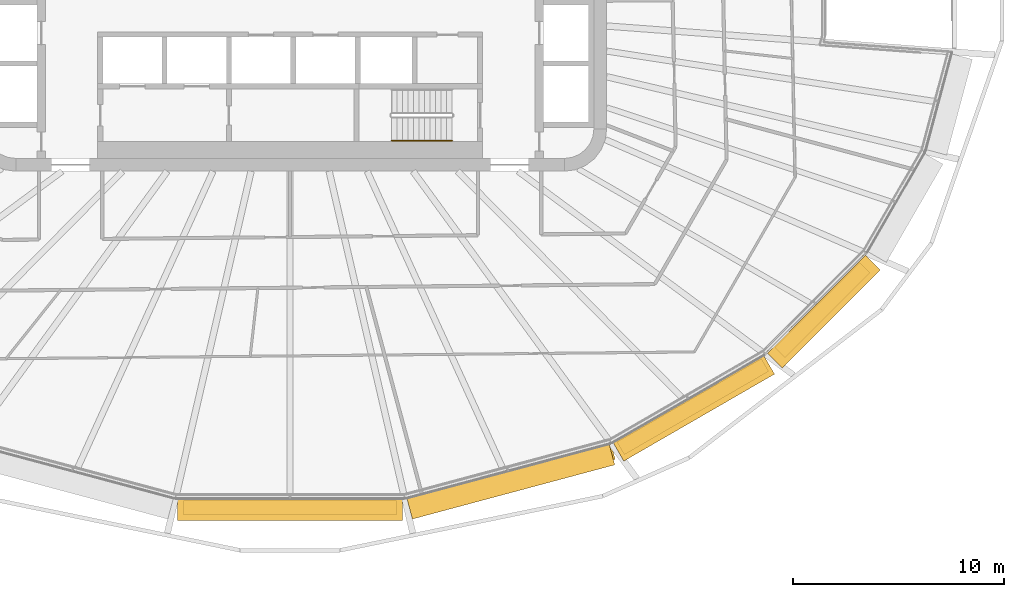
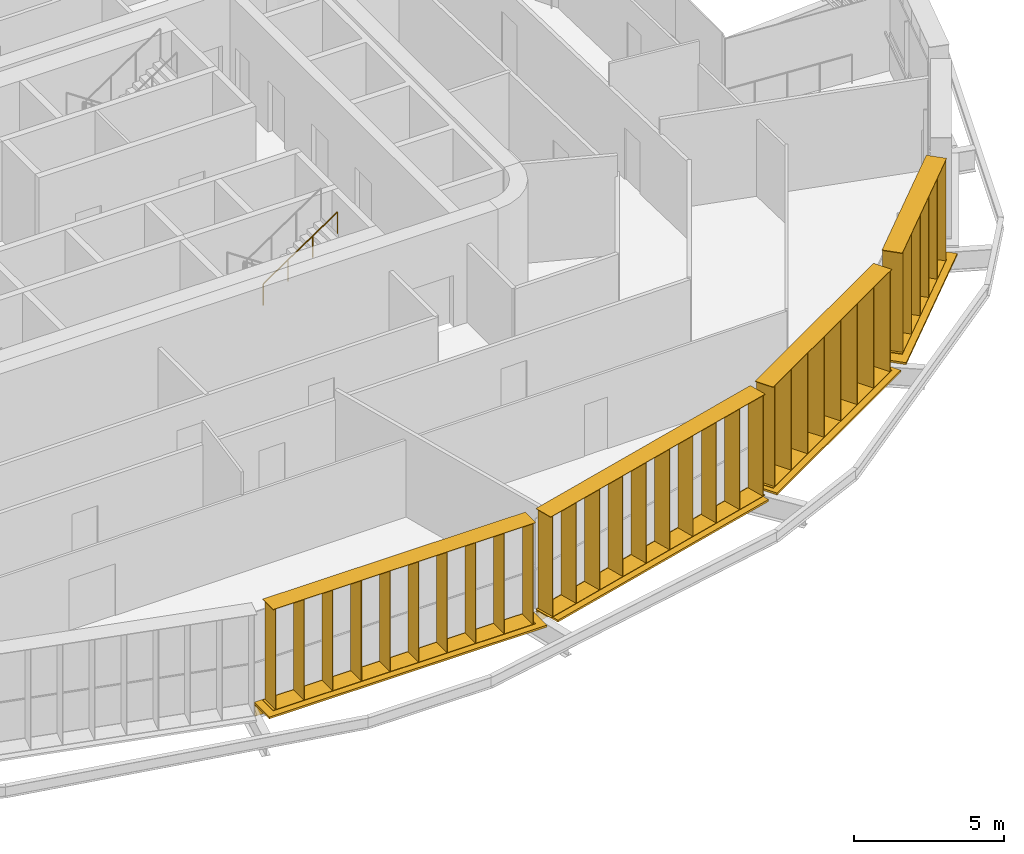
# One storey, part 24 of 28: 8 shading devices, 1 railing.
"""IFC4 building model written with IfcOpenShell, lengths in metres."""

from ifc_helpers import new_model, si_unit, direction, frame, origin, origin_2d, place, context, subcontext, project, spatial, rectangle, circle, extrude, material, type_object, element, save


model = new_model("IFC4")

# Units and contexts
model_context = context("Model", 3, precision=1e-05, world=origin(), true_north=direction((0.0, 1.0)))
body_context = subcontext(model_context, "Body", "Model", "MODEL_VIEW")
ifc_project = project(units=[si_unit("LENGTHUNIT", "METRE"), si_unit("AREAUNIT", "SQUARE_METRE"), si_unit("VOLUMEUNIT", "CUBIC_METRE"), si_unit("PLANEANGLEUNIT", "RADIAN"), si_unit("MASSUNIT", "GRAM", prefix="KILO")], contexts=[model_context])

# Site, building, storey
site_placement = place(None, origin())
site = spatial("IfcSite", under=ifc_project, at=site_placement, CompositionType="ELEMENT")
building_placement = place(site_placement, origin())
building = spatial("IfcBuilding", under=site, at=building_placement, Name="Sahrelin Media Tower", CompositionType="ELEMENT")
storey_placement = place(building_placement, frame((0.0, 0.0, 75.60009765625)))
storey = spatial("IfcBuildingStorey", under=building, at=storey_placement, Name="L13", CompositionType="ELEMENT", Elevation=75.60009765625)

# Shading devices
ifc_material_1 = material(Name="Champagne anodised aluminium 6063-T6", Category="aluminium")
shading_device_type_1 = type_object("IfcShadingDeviceType", Name="Fin cassette", PredefinedType="USERDEFINED", material=ifc_material_1)
placement_1 = place(storey_placement, frame((0.0, -23.5244140625, 0.0), z_axis=(0.0, 0.0, 1.0), x_axis=(-1.0, 0.0, 0.0)))
element("IfcShadingDevice", 1, at=placement_1, inside=storey, type_object=shading_device_type_1, Name="L13:FIN:L13-18", ObjectType="FIN", PredefinedType="USERDEFINED", context=body_context, shape_type="SweptSolid", body=[
    extrude(rectangle(XDim=10.10009765625, YDim=0.699951171875, at=origin_2d()), frame((0.0, 0.419921875, 0.0)), (0.0, 0.0, 1.0), 0.02001953125),
    extrude(rectangle(XDim=10.10009765625, YDim=0.699951171875, at=origin_2d()), frame((0.0, 0.419921875, 4.10009765625)), (0.0, 0.0, 1.0), 0.02001953125),
    extrude(rectangle(XDim=0.02001953125, YDim=0.699951171875, at=origin_2d()), frame((-4.949951171875, 0.419921875, 0.010009765625), z_axis=(0.0, 0.0, 1.0), x_axis=(1.0, 0.0, 0.0)), (0.0, 0.0, 1.0), 4.10009765625),
    extrude(rectangle(XDim=0.02001953125, YDim=0.699951171875, at=origin_2d()), frame((-3.85009765625, 0.419921875, 0.010009765625), z_axis=(0.0, 0.0, 1.0), x_axis=(1.0, 0.0, 0.0)), (0.0, 0.0, 1.0), 4.10009765625),
    extrude(rectangle(XDim=0.02001953125, YDim=0.699951171875, at=origin_2d()), frame((-2.75, 0.419921875, 0.010009765625), z_axis=(0.0, 0.0, 1.0), x_axis=(1.0, 0.0, 0.0)), (0.0, 0.0, 1.0), 4.10009765625),
    extrude(rectangle(XDim=0.02001953125, YDim=0.699951171875, at=origin_2d()), frame((-1.64990234375, 0.419921875, 0.010009765625), z_axis=(0.0, 0.0, 1.0), x_axis=(1.0, 0.0, 0.0)), (0.0, 0.0, 1.0), 4.10009765625),
    extrude(rectangle(XDim=0.02001953125, YDim=0.699951171875, at=origin_2d()), frame((-0.550048828125, 0.419921875, 0.010009765625), z_axis=(0.0, 0.0, 1.0), x_axis=(1.0, 0.0, 0.0)), (0.0, 0.0, 1.0), 4.10009765625),
    extrude(rectangle(XDim=0.02001953125, YDim=0.699951171875, at=origin_2d()), frame((0.550048828125, 0.419921875, 0.010009765625), z_axis=(0.0, 0.0, 1.0), x_axis=(1.0, 0.0, 0.0)), (0.0, 0.0, 1.0), 4.10009765625),
    extrude(rectangle(XDim=0.02001953125, YDim=0.699951171875, at=origin_2d()), frame((1.64990234375, 0.419921875, 0.010009765625), z_axis=(0.0, 0.0, 1.0), x_axis=(1.0, 0.0, 0.0)), (0.0, 0.0, 1.0), 4.10009765625),
    extrude(rectangle(XDim=0.02001953125, YDim=0.699951171875, at=origin_2d()), frame((2.75, 0.419921875, 0.010009765625), z_axis=(0.0, 0.0, 1.0), x_axis=(1.0, 0.0, 0.0)), (0.0, 0.0, 1.0), 4.10009765625),
    extrude(rectangle(XDim=0.02001953125, YDim=0.699951171875, at=origin_2d()), frame((3.85009765625, 0.419921875, 0.010009765625), z_axis=(0.0, 0.0, 1.0), x_axis=(1.0, 0.0, 0.0)), (0.0, 0.0, 1.0), 4.10009765625),
    extrude(rectangle(XDim=0.02001953125, YDim=0.699951171875, at=origin_2d()), frame((4.949951171875, 0.419921875, 0.010009765625), z_axis=(0.0, 0.0, 1.0), x_axis=(1.0, 0.0, 0.0)), (0.0, 0.0, 1.0), 4.10009765625),
])
placement_2 = place(storey_placement, frame((10.32666015625, -22.214111328125, 0.0), z_axis=(0.0, 0.0, 1.0), x_axis=(-0.965928857556, -0.258807731996, 0.0)))
element("IfcShadingDevice", 2, at=placement_2, inside=storey, type_object=shading_device_type_1, Name="L13:FIN:L13-19", ObjectType="FIN", PredefinedType="USERDEFINED", context=body_context, shape_type="SweptSolid", body=[
    extrude(rectangle(XDim=10.10009765625, YDim=0.699951171875, at=origin_2d()), frame((0.0, 0.419921875, 0.0)), (0.0, 0.0, 1.0), 0.02001953125),
    extrude(rectangle(XDim=10.10009765625, YDim=0.699951171875, at=origin_2d()), frame((0.0, 0.419921875, 4.10009765625)), (0.0, 0.0, 1.0), 0.02001953125),
    extrude(rectangle(XDim=0.02001953125, YDim=0.699951171875, at=origin_2d()), frame((-4.949951171875, 0.419921875, 0.010009765625), z_axis=(0.0, 0.0, 1.0), x_axis=(1.0, 0.0, 0.0)), (0.0, 0.0, 1.0), 4.10009765625),
    extrude(rectangle(XDim=0.02001953125, YDim=0.699951171875, at=origin_2d()), frame((-3.85009765625, 0.419921875, 0.010009765625), z_axis=(0.0, 0.0, 1.0), x_axis=(1.0, 0.0, 0.0)), (0.0, 0.0, 1.0), 4.10009765625),
    extrude(rectangle(XDim=0.02001953125, YDim=0.699951171875, at=origin_2d()), frame((-2.75, 0.419921875, 0.010009765625), z_axis=(0.0, 0.0, 1.0), x_axis=(1.0, 0.0, 0.0)), (0.0, 0.0, 1.0), 4.10009765625),
    extrude(rectangle(XDim=0.02001953125, YDim=0.699951171875, at=origin_2d()), frame((-1.64990234375, 0.419921875, 0.010009765625), z_axis=(0.0, 0.0, 1.0), x_axis=(1.0, 0.0, 0.0)), (0.0, 0.0, 1.0), 4.10009765625),
    extrude(rectangle(XDim=0.02001953125, YDim=0.699951171875, at=origin_2d()), frame((-0.550048828125, 0.419921875, 0.010009765625), z_axis=(0.0, 0.0, 1.0), x_axis=(1.0, 0.0, 0.0)), (0.0, 0.0, 1.0), 4.10009765625),
    extrude(rectangle(XDim=0.02001953125, YDim=0.699951171875, at=origin_2d()), frame((0.550048828125, 0.419921875, 0.010009765625), z_axis=(0.0, 0.0, 1.0), x_axis=(1.0, 0.0, 0.0)), (0.0, 0.0, 1.0), 4.10009765625),
    extrude(rectangle(XDim=0.02001953125, YDim=0.699951171875, at=origin_2d()), frame((1.64990234375, 0.419921875, 0.010009765625), z_axis=(0.0, 0.0, 1.0), x_axis=(1.0, 0.0, 0.0)), (0.0, 0.0, 1.0), 4.10009765625),
    extrude(rectangle(XDim=0.02001953125, YDim=0.699951171875, at=origin_2d()), frame((2.75, 0.419921875, 0.010009765625), z_axis=(0.0, 0.0, 1.0), x_axis=(1.0, 0.0, 0.0)), (0.0, 0.0, 1.0), 4.10009765625),
    extrude(rectangle(XDim=0.02001953125, YDim=0.699951171875, at=origin_2d()), frame((3.85009765625, 0.419921875, 0.010009765625), z_axis=(0.0, 0.0, 1.0), x_axis=(1.0, 0.0, 0.0)), (0.0, 0.0, 1.0), 4.10009765625),
    extrude(rectangle(XDim=0.02001953125, YDim=0.699951171875, at=origin_2d()), frame((4.949951171875, 0.419921875, 0.010009765625), z_axis=(0.0, 0.0, 1.0), x_axis=(1.0, 0.0, 0.0)), (0.0, 0.0, 1.0), 4.10009765625),
])
placement_3 = place(storey_placement, frame((18.873291015625, -18.79248046875, 0.0), z_axis=(0.0, 0.0, 1.0), x_axis=(-0.866019052629, -0.500011000363, 0.0)))
element("IfcShadingDevice", 3, at=placement_3, inside=storey, type_object=shading_device_type_1, Name="L13:FIN:L13-20", ObjectType="FIN", PredefinedType="USERDEFINED", context=body_context, shape_type="SweptSolid", body=[
    extrude(rectangle(XDim=7.89990234375, YDim=0.699951171875, at=origin_2d()), frame((0.0, 0.419921875, 0.0)), (0.0, 0.0, 1.0), 0.02001953125),
    extrude(rectangle(XDim=7.89990234375, YDim=0.699951171875, at=origin_2d()), frame((0.0, 0.419921875, 4.10009765625)), (0.0, 0.0, 1.0), 0.02001953125),
    extrude(rectangle(XDim=0.02001953125, YDim=0.699951171875, at=origin_2d()), frame((-3.85009765625, 0.419921875, 0.010009765625), z_axis=(0.0, 0.0, 1.0), x_axis=(1.0, 0.0, 0.0)), (0.0, 0.0, 1.0), 4.10009765625),
    extrude(rectangle(XDim=0.02001953125, YDim=0.699951171875, at=origin_2d()), frame((-2.75, 0.419921875, 0.010009765625), z_axis=(0.0, 0.0, 1.0), x_axis=(1.0, 0.0, 0.0)), (0.0, 0.0, 1.0), 4.10009765625),
    extrude(rectangle(XDim=0.02001953125, YDim=0.699951171875, at=origin_2d()), frame((-1.64990234375, 0.419921875, 0.010009765625), z_axis=(0.0, 0.0, 1.0), x_axis=(1.0, 0.0, 0.0)), (0.0, 0.0, 1.0), 4.10009765625),
    extrude(rectangle(XDim=0.02001953125, YDim=0.699951171875, at=origin_2d()), frame((-0.550048828125, 0.419921875, 0.010009765625), z_axis=(0.0, 0.0, 1.0), x_axis=(1.0, 0.0, 0.0)), (0.0, 0.0, 1.0), 4.10009765625),
    extrude(rectangle(XDim=0.02001953125, YDim=0.699951171875, at=origin_2d()), frame((0.550048828125, 0.419921875, 0.010009765625), z_axis=(0.0, 0.0, 1.0), x_axis=(1.0, 0.0, 0.0)), (0.0, 0.0, 1.0), 4.10009765625),
    extrude(rectangle(XDim=0.02001953125, YDim=0.699951171875, at=origin_2d()), frame((1.64990234375, 0.419921875, 0.010009765625), z_axis=(0.0, 0.0, 1.0), x_axis=(1.0, 0.0, 0.0)), (0.0, 0.0, 1.0), 4.10009765625),
    extrude(rectangle(XDim=0.02001953125, YDim=0.699951171875, at=origin_2d()), frame((2.75, 0.419921875, 0.010009765625), z_axis=(0.0, 0.0, 1.0), x_axis=(1.0, 0.0, 0.0)), (0.0, 0.0, 1.0), 4.10009765625),
    extrude(rectangle(XDim=0.02001953125, YDim=0.699951171875, at=origin_2d()), frame((3.85009765625, 0.419921875, 0.010009765625), z_axis=(0.0, 0.0, 1.0), x_axis=(1.0, 0.0, 0.0)), (0.0, 0.0, 1.0), 4.10009765625),
])
placement_4 = place(storey_placement, frame((24.92431640625, -14.287109375, 0.0), z_axis=(0.0, 0.0, 1.0), x_axis=(-0.707106781187, -0.707106781187, 0.0)))
element("IfcShadingDevice", 4, at=placement_4, inside=storey, type_object=shading_device_type_1, Name="L13:FIN:L13-21", ObjectType="FIN", PredefinedType="USERDEFINED", context=body_context, shape_type="SweptSolid", body=[
    extrude(rectangle(XDim=5.699951171875, YDim=0.699951171875, at=origin_2d()), frame((0.0, 0.419921875, 0.0)), (0.0, 0.0, 1.0), 0.02001953125),
    extrude(rectangle(XDim=5.699951171875, YDim=0.699951171875, at=origin_2d()), frame((0.0, 0.419921875, 4.10009765625)), (0.0, 0.0, 1.0), 0.02001953125),
    extrude(rectangle(XDim=0.02001953125, YDim=0.699951171875, at=origin_2d()), frame((-2.75, 0.419921875, 0.010009765625), z_axis=(0.0, 0.0, 1.0), x_axis=(1.0, 0.0, 0.0)), (0.0, 0.0, 1.0), 4.10009765625),
    extrude(rectangle(XDim=0.02001953125, YDim=0.699951171875, at=origin_2d()), frame((-1.64990234375, 0.419921875, 0.010009765625), z_axis=(0.0, 0.0, 1.0), x_axis=(1.0, 0.0, 0.0)), (0.0, 0.0, 1.0), 4.10009765625),
    extrude(rectangle(XDim=0.02001953125, YDim=0.699951171875, at=origin_2d()), frame((-0.550048828125, 0.419921875, 0.010009765625), z_axis=(0.0, 0.0, 1.0), x_axis=(1.0, 0.0, 0.0)), (0.0, 0.0, 1.0), 4.10009765625),
    extrude(rectangle(XDim=0.02001953125, YDim=0.699951171875, at=origin_2d()), frame((0.550048828125, 0.419921875, 0.010009765625), z_axis=(0.0, 0.0, 1.0), x_axis=(1.0, 0.0, 0.0)), (0.0, 0.0, 1.0), 4.10009765625),
    extrude(rectangle(XDim=0.02001953125, YDim=0.699951171875, at=origin_2d()), frame((1.64990234375, 0.419921875, 0.010009765625), z_axis=(0.0, 0.0, 1.0), x_axis=(1.0, 0.0, 0.0)), (0.0, 0.0, 1.0), 4.10009765625),
    extrude(rectangle(XDim=0.02001953125, YDim=0.699951171875, at=origin_2d()), frame((2.75, 0.419921875, 0.010009765625), z_axis=(0.0, 0.0, 1.0), x_axis=(1.0, 0.0, 0.0)), (0.0, 0.0, 1.0), 4.10009765625),
])

# Railing
ifc_material_2 = material(Name="Steel S355", Category="steel")
railing_type = type_object("IfcRailingType", Name="Stair handrail 900", PredefinedType="HANDRAIL", material=ifc_material_2)
railing_placement = place(storey_placement, frame((4.81494140625, -6.550048828125, 2.27490234375)))
element("IfcRailing", 5, at=railing_placement, inside=storey, type_object=railing_type, Name="L13 ST2 stair handrail 2", PredefinedType="HANDRAIL", context=body_context, shape_type="SweptSolid", body=[
    extrude(circle(Radius=0.02392578125, at=origin_2d()), frame((0.0, 0.0, 0.8759765625), z_axis=(0.829590901723, 0.0, 0.558371682465), x_axis=(0.0, 1.0, 0.0)), (0.0, 0.0, 1.0), 3.447509765625),
    extrude(circle(Radius=0.02099609375, at=origin_2d()), origin(), (0.0, 0.0, 1.0), 0.851806640625),
    extrude(circle(Radius=0.02099609375, at=origin_2d()), frame((0.953369140625, 0.0, 0.6416015625)), (0.0, 0.0, 1.0), 0.851806640625),
    extrude(circle(Radius=0.02099609375, at=origin_2d()), frame((1.90673828125, 0.0, 1.283447265625)), (0.0, 0.0, 1.0), 0.851806640625),
    extrude(circle(Radius=0.02099609375, at=origin_2d()), frame((2.860107421875, 0.0, 1.925048828125)), (0.0, 0.0, 1.0), 0.851806640625),
])

# Shading devices
shading_device_type_2 = type_object("IfcShadingDeviceType", Name="Sunshade band", PredefinedType="USERDEFINED", material=ifc_material_1)
element("IfcShadingDevice", 6, at=placement_1, inside=storey, type_object=shading_device_type_2, Name="L13:SUN:L13-18", ObjectType="SUNSHADE", PredefinedType="USERDEFINED", context=body_context, shape_type="SweptSolid", body=[
    extrude(rectangle(XDim=10.673095703125, YDim=0.050048828125, at=origin_2d()), frame((0.0, 0.044921875, -0.55126953125)), (0.0, 0.0, 1.0), 0.471435546875),
    extrude(rectangle(XDim=10.673095703125, YDim=1.0, at=origin_2d()), frame((0.0, 0.52001953125, -0.080078125)), (0.0, 0.0, 1.0), 0.080078125),
    extrude(rectangle(XDim=0.10009765625, YDim=0.074951171875, at=origin_2d()), frame((-5.236572265625, -0.017578125, -0.47021484375)), (0.0, 0.0, 1.0), 0.300048828125),
    extrude(rectangle(XDim=0.10009765625, YDim=0.074951171875, at=origin_2d()), frame((-3.490966796875, -0.017578125, -0.47021484375)), (0.0, 0.0, 1.0), 0.300048828125),
    extrude(rectangle(XDim=0.10009765625, YDim=0.074951171875, at=origin_2d()), frame((-1.74560546875, -0.017578125, -0.47021484375)), (0.0, 0.0, 1.0), 0.300048828125),
    extrude(rectangle(XDim=0.10009765625, YDim=0.074951171875, at=origin_2d()), frame((0.0, -0.017578125, -0.47021484375)), (0.0, 0.0, 1.0), 0.300048828125),
    extrude(rectangle(XDim=0.10009765625, YDim=0.074951171875, at=origin_2d()), frame((1.74560546875, -0.017578125, -0.47021484375)), (0.0, 0.0, 1.0), 0.300048828125),
    extrude(rectangle(XDim=0.10009765625, YDim=0.074951171875, at=origin_2d()), frame((3.490966796875, -0.017578125, -0.47021484375)), (0.0, 0.0, 1.0), 0.300048828125),
    extrude(rectangle(XDim=0.10009765625, YDim=0.074951171875, at=origin_2d()), frame((5.236572265625, -0.017578125, -0.47021484375)), (0.0, 0.0, 1.0), 0.300048828125),
])
element("IfcShadingDevice", 7, at=placement_2, inside=storey, type_object=shading_device_type_2, Name="L13:SUN:L13-19", ObjectType="SUNSHADE", PredefinedType="USERDEFINED", context=body_context, shape_type="SweptSolid", body=[
    extrude(rectangle(XDim=9.925048828125, YDim=0.050048828125, at=origin_2d()), frame((0.0, 0.044921875, -0.55126953125)), (0.0, 0.0, 1.0), 0.471435546875),
    extrude(rectangle(XDim=9.925048828125, YDim=1.0, at=origin_2d()), frame((0.0, 0.52001953125, -0.080078125)), (0.0, 0.0, 1.0), 0.080078125),
    extrude(rectangle(XDim=0.10009765625, YDim=0.074951171875, at=origin_2d()), frame((-4.862548828125, -0.017578125, -0.47021484375)), (0.0, 0.0, 1.0), 0.300048828125),
    extrude(rectangle(XDim=0.10009765625, YDim=0.074951171875, at=origin_2d()), frame((-2.91748046875, -0.017578125, -0.47021484375)), (0.0, 0.0, 1.0), 0.300048828125),
    extrude(rectangle(XDim=0.10009765625, YDim=0.074951171875, at=origin_2d()), frame((-0.972412109375, -0.017578125, -0.47021484375)), (0.0, 0.0, 1.0), 0.300048828125),
    extrude(rectangle(XDim=0.10009765625, YDim=0.074951171875, at=origin_2d()), frame((0.972412109375, -0.017578125, -0.47021484375)), (0.0, 0.0, 1.0), 0.300048828125),
    extrude(rectangle(XDim=0.10009765625, YDim=0.074951171875, at=origin_2d()), frame((2.91748046875, -0.017578125, -0.47021484375)), (0.0, 0.0, 1.0), 0.300048828125),
    extrude(rectangle(XDim=0.10009765625, YDim=0.074951171875, at=origin_2d()), frame((4.862548828125, -0.017578125, -0.47021484375)), (0.0, 0.0, 1.0), 0.300048828125),
])
element("IfcShadingDevice", 8, at=placement_3, inside=storey, type_object=shading_device_type_2, Name="L13:SUN:L13-20", ObjectType="SUNSHADE", PredefinedType="USERDEFINED", context=body_context, shape_type="SweptSolid", body=[
    extrude(rectangle(XDim=8.244873046875, YDim=0.050048828125, at=origin_2d()), frame((0.0, 0.044921875, -0.55126953125)), (0.0, 0.0, 1.0), 0.471435546875),
    extrude(rectangle(XDim=8.244873046875, YDim=1.0, at=origin_2d()), frame((0.0, 0.52001953125, -0.080078125)), (0.0, 0.0, 1.0), 0.080078125),
    extrude(rectangle(XDim=0.10009765625, YDim=0.074951171875, at=origin_2d()), frame((-4.0224609375, -0.017578125, -0.47021484375)), (0.0, 0.0, 1.0), 0.300048828125),
    extrude(rectangle(XDim=0.10009765625, YDim=0.074951171875, at=origin_2d()), frame((-2.41357421875, -0.017578125, -0.47021484375)), (0.0, 0.0, 1.0), 0.300048828125),
    extrude(rectangle(XDim=0.10009765625, YDim=0.074951171875, at=origin_2d()), frame((-0.804443359375, -0.017578125, -0.47021484375)), (0.0, 0.0, 1.0), 0.300048828125),
    extrude(rectangle(XDim=0.10009765625, YDim=0.074951171875, at=origin_2d()), frame((0.804443359375, -0.017578125, -0.47021484375)), (0.0, 0.0, 1.0), 0.300048828125),
    extrude(rectangle(XDim=0.10009765625, YDim=0.074951171875, at=origin_2d()), frame((2.41357421875, -0.017578125, -0.47021484375)), (0.0, 0.0, 1.0), 0.300048828125),
    extrude(rectangle(XDim=0.10009765625, YDim=0.074951171875, at=origin_2d()), frame((4.0224609375, -0.017578125, -0.47021484375)), (0.0, 0.0, 1.0), 0.300048828125),
])
element("IfcShadingDevice", 9, at=placement_4, inside=storey, type_object=shading_device_type_2, Name="L13:SUN:L13-21", ObjectType="SUNSHADE", PredefinedType="USERDEFINED", context=body_context, shape_type="SweptSolid", body=[
    extrude(rectangle(XDim=6.57177734375, YDim=0.050048828125, at=origin_2d()), frame((0.0, 0.044921875, -0.55126953125)), (0.0, 0.0, 1.0), 0.471435546875),
    extrude(rectangle(XDim=6.57177734375, YDim=1.0, at=origin_2d()), frame((0.0, 0.52001953125, -0.080078125)), (0.0, 0.0, 1.0), 0.080078125),
    extrude(rectangle(XDim=0.10009765625, YDim=0.074951171875, at=origin_2d()), frame((-3.185791015625, -0.017578125, -0.47021484375)), (0.0, 0.0, 1.0), 0.300048828125),
    extrude(rectangle(XDim=0.10009765625, YDim=0.074951171875, at=origin_2d()), frame((-1.593017578125, -0.017578125, -0.47021484375)), (0.0, 0.0, 1.0), 0.300048828125),
    extrude(rectangle(XDim=0.10009765625, YDim=0.074951171875, at=origin_2d()), frame((0.0, -0.017578125, -0.47021484375)), (0.0, 0.0, 1.0), 0.300048828125),
    extrude(rectangle(XDim=0.10009765625, YDim=0.074951171875, at=origin_2d()), frame((1.593017578125, -0.017578125, -0.47021484375)), (0.0, 0.0, 1.0), 0.300048828125),
    extrude(rectangle(XDim=0.10009765625, YDim=0.074951171875, at=origin_2d()), frame((3.185791015625, -0.017578125, -0.47021484375)), (0.0, 0.0, 1.0), 0.300048828125),
])

save(model, "model.ifc")
